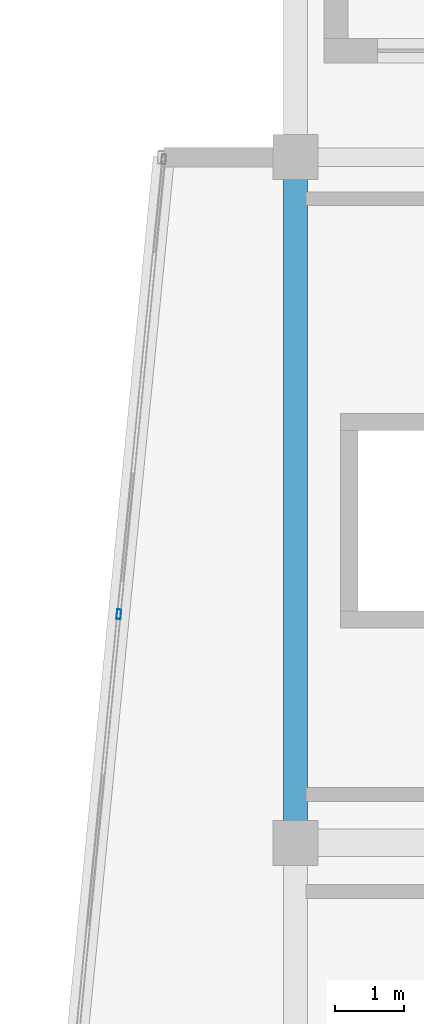
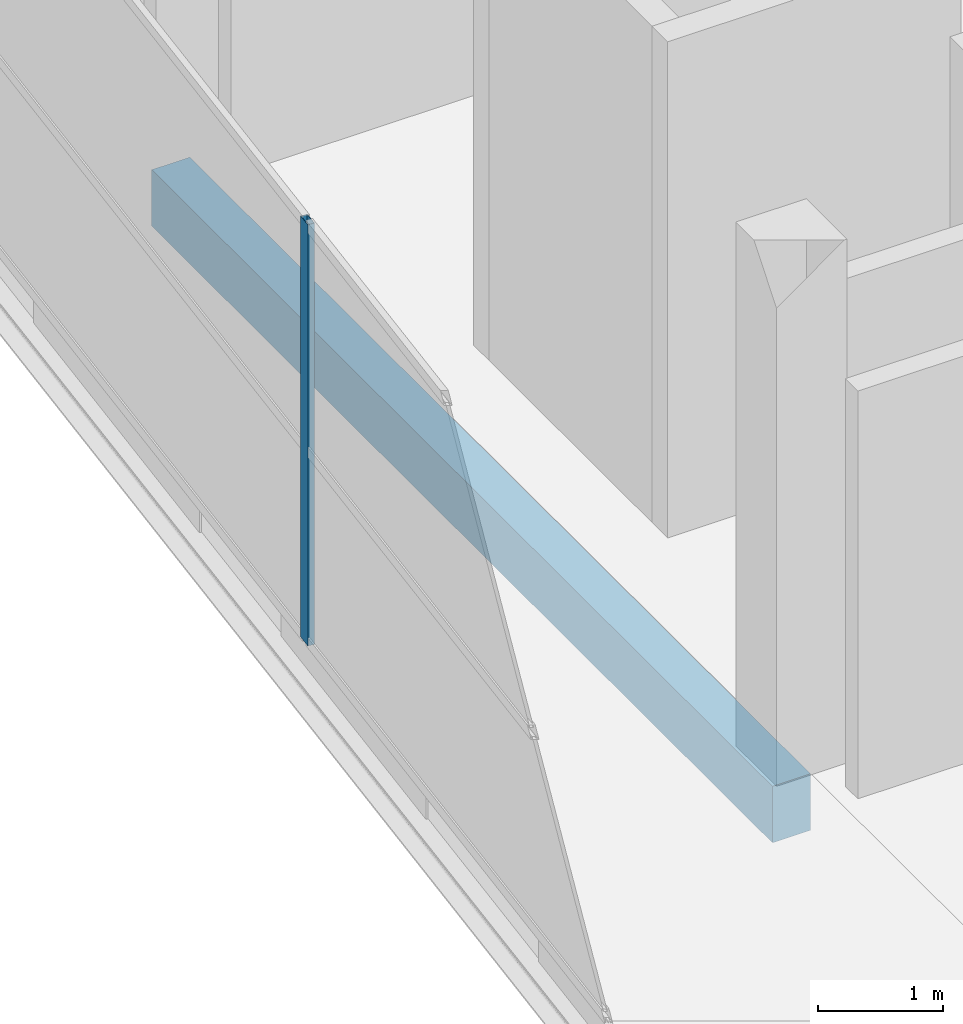
# One storey, part 22 of 58: 1 beam, 1 member, 1 element without a shape of its own.
"""IFC4 building model written with IfcOpenShell, lengths in metres."""

from ifc_helpers import new_model, si_unit, direction, frame, origin, origin_2d, place, context, subcontext, project, spatial, rectangle, hollow_rectangle, extrude, material, layer, layer_set, material_profile, profile_set, type_object, element, aggregate, save


model = new_model("IFC4")

# Units and contexts
model_context = context("Model", 3, precision=1e-05, world=origin(), true_north=direction((0.0, 1.0)))
body_context = subcontext(model_context, "Body", "Model", "MODEL_VIEW")
ifc_project = project(units=[si_unit("LENGTHUNIT", "METRE"), si_unit("AREAUNIT", "SQUARE_METRE"), si_unit("VOLUMEUNIT", "CUBIC_METRE"), si_unit("PLANEANGLEUNIT", "RADIAN"), si_unit("MASSUNIT", "GRAM", prefix="KILO")], contexts=[model_context])

# Site, building, storey
site_placement = place(None, origin())
site = spatial("IfcSite", under=ifc_project, at=site_placement, CompositionType="ELEMENT")
building_placement = place(site_placement, origin())
building = spatial("IfcBuilding", under=site, at=building_placement, Name="Sillaruma Civic Art Gallery", CompositionType="ELEMENT")
storey_placement = place(building_placement, frame((0.0, 0.0, 52.02001953125)))
storey = spatial("IfcBuildingStorey", under=building, at=storey_placement, Name="L10", CompositionType="ELEMENT", Elevation=52.02001953125)

# Beam
ifc_material_1 = material(Name="Concrete H35 (35 MPa)", Category="concrete")
ifc_material_profile_1 = material_profile(ifc_material_1, rectangle(XDim=0.35009765625, YDim=0.550048828125, at=origin_2d()), Name="RCB350x550")
ifc_profile_set_1 = profile_set([ifc_material_profile_1], Name="Concrete H35 (35 MPa)")
beam_type = type_object("IfcBeamType", Name="BM-SPANDREL-RCB350x550", PredefinedType="SPANDREL", material=ifc_profile_set_1)
beam_placement = place(storey_placement, frame((62.0, 69.300048828125, -0.52490234375), z_axis=(0.0, 1.0, 0.0), x_axis=(-1.0, 0.0, 0.0)))
element("IfcBeam", 1, at=beam_placement, inside=storey, type_object=beam_type, Name="Beam BS-04 (L09:F:8-9)", PredefinedType="SPANDREL", context=body_context, shape_type="SweptSolid", body=[
    extrude(rectangle(XDim=0.35009765625, YDim=0.550048828125, at=origin_2d()), origin(), (0.0, 0.0, 1.0), 9.89990234375),
])

# Curtain wall, member
ifc_material_2 = material(Name="Thermally Broken Extruded Aluminium 6063-T6", Category="aluminium")
ifc_layer = layer(ifc_material_2, 0.139892578125, Name="Thermally Broken Extruded Aluminium 6063-T6")
ifc_layer_set = layer_set([ifc_layer], Name="Thermally Broken Extruded Aluminium 6063-T6")
curtain_wall_type = type_object("IfcCurtainWallType", Name="CW-UNI-84", PredefinedType="NOTDEFINED", material=ifc_layer_set)
curtain_wall_placement = place(storey_placement, origin())
curtain_wall = element("IfcCurtainWall", 2, at=curtain_wall_placement, inside=storey, type_object=curtain_wall_type, Name="Unitised Curtain Wall CW-84 (CW-PRW-L10-W-ANG)", PredefinedType="NOTDEFINED")
ifc_material_profile_2 = material_profile(ifc_material_2, hollow_rectangle(XDim=0.06005859375, YDim=0.139892578125, WallThickness=0.00341796875, at=origin_2d()), Name="CWM60x140")
ifc_profile_set_2 = profile_set([ifc_material_profile_2], Name="Thermally Broken Extruded Aluminium 6063-T6")
member_type = type_object("IfcMemberType", Name="MEM-MUL-CWM60x140", PredefinedType="MULLION", material=ifc_profile_set_2)
member_placement = place(storey_placement, frame((59.449951171875, 72.60009765625, 0.0), z_axis=(0.0, 0.0, 1.0), x_axis=(0.99518536297, -0.098010679679, 0.0)))
member = element("IfcMember", 3, at=member_placement, type_object=member_type, Name="CW-84 mullion 2", PredefinedType="MULLION", context=body_context, shape_type="SweptSolid", body=[
    extrude(hollow_rectangle(XDim=0.06005859375, YDim=0.139892578125, WallThickness=0.00341796875, at=origin_2d()), origin(), (0.0, 0.0, 1.0), 4.10009765625),
])
aggregate(curtain_wall, [member])

save(model, "model.ifc")
